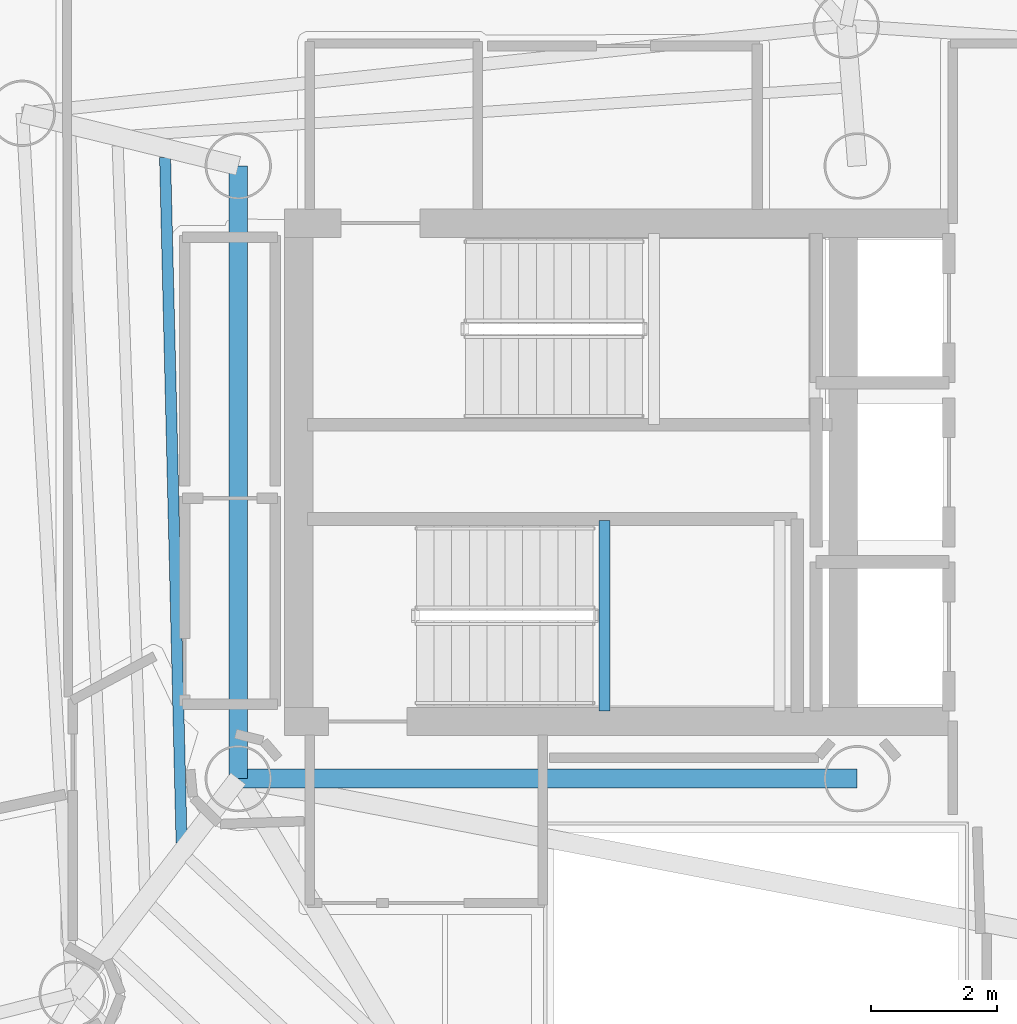
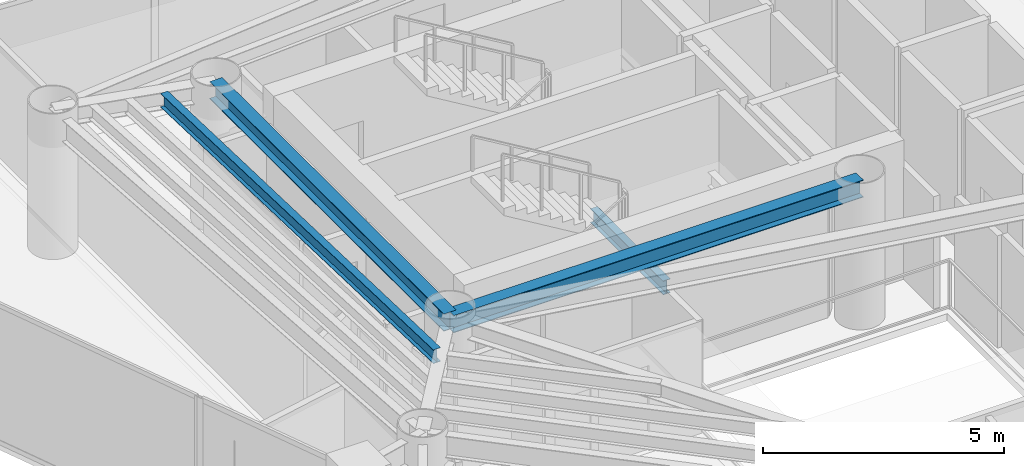
# One storey, part 8 of 20: 4 beams.
"""IFC4 building model written with IfcOpenShell, lengths in metres."""

from ifc_helpers import new_model, si_unit, direction, frame, origin, origin_2d, place, context, subcontext, project, spatial, i_section, extrude, material, material_profile, profile_set, type_object, element, save


model = new_model("IFC4")

# Units and contexts
model_context = context("Model", 3, precision=1e-05, world=origin(), true_north=direction((0.0, 1.0)))
body_context = subcontext(model_context, "Body", "Model", "MODEL_VIEW")
ifc_project = project(units=[si_unit("LENGTHUNIT", "METRE"), si_unit("AREAUNIT", "SQUARE_METRE"), si_unit("VOLUMEUNIT", "CUBIC_METRE"), si_unit("PLANEANGLEUNIT", "RADIAN"), si_unit("MASSUNIT", "GRAM", prefix="KILO")], contexts=[model_context])

# Site, building, storey
site_placement = place(None, origin())
site = spatial("IfcSite", under=ifc_project, at=site_placement, CompositionType="ELEMENT")
building_placement = place(site_placement, origin())
building = spatial("IfcBuilding", under=site, at=building_placement, Name="Qianvela Tower", CompositionType="ELEMENT")
storey_placement = place(building_placement, frame((0.0, 0.0, 239.0)))
storey = spatial("IfcBuildingStorey", under=building, at=storey_placement, Name="L61", CompositionType="ELEMENT", Elevation=239.0)

# Beams
ifc_material_1 = material(Name="Steel Q355B", Category="steel")
ifc_material_profile_1 = material_profile(ifc_material_1, i_section(OverallWidth=0.300048828125, OverallDepth=0.43994140625, WebThickness=0.010986328125, FlangeThickness=0.01806640625, at=origin_2d()), Name="HM440x300x11x18")
ifc_profile_set_1 = profile_set([ifc_material_profile_1], Name="Steel Q355B")
beam_type_1 = type_object("IfcBeamType", Name="BM-HM440-COLL", PredefinedType="BEAM", material=ifc_profile_set_1)
beam_1_placement = place(storey_placement, frame((28.60009765625, 23.85009765625, 3.298095703125), z_axis=(1.0, 0.0, 0.0), x_axis=(0.0, 1.0, 0.0)))
element("IfcBeam", 1, at=beam_1_placement, inside=storey, type_object=beam_type_1, Name="L61 Core Ring Collector Girder CC1", PredefinedType="BEAM", context=body_context, shape_type="SweptSolid", body=[
    extrude(i_section(OverallWidth=0.300048828125, OverallDepth=0.43994140625, WebThickness=0.010986328125, FlangeThickness=0.01806640625, at=origin_2d()), origin(), (0.0, 0.0, 1.0), 9.7998046875),
])
beam_2_placement = place(storey_placement, frame((28.60009765625, 33.550048828125, 3.298095703125), z_axis=(0.0, -1.0, 0.0), x_axis=(1.0, 0.0, 0.0)))
element("IfcBeam", 2, at=beam_2_placement, inside=storey, type_object=beam_type_1, Name="L61 Core Ring Collector Girder CC2", PredefinedType="BEAM", context=body_context, shape_type="SweptSolid", body=[
    extrude(i_section(OverallWidth=0.300048828125, OverallDepth=0.43994140625, WebThickness=0.010986328125, FlangeThickness=0.01806640625, at=origin_2d()), origin(), (0.0, 0.0, 1.0), 9.699951171875),
])
ifc_material_2 = material(Name="Steel Q355B", Category="steel")
ifc_material_profile_2 = material_profile(ifc_material_2, i_section(OverallWidth=0.175048828125, OverallDepth=0.35009765625, WebThickness=0.007080078125, FlangeThickness=0.010986328125, at=origin_2d()), Name="HN350x175x7x11")
ifc_profile_set_2 = profile_set([ifc_material_profile_2], Name="Steel Q355B")
beam_type_2 = type_object("IfcBeamType", Name="BM-HN350-JOIST", PredefinedType="JOIST", material=ifc_profile_set_2)
beam_3_placement = place(storey_placement, frame((27.44140625, 33.6875, 3.343017578125), z_axis=(0.024087497273, -0.999709854145, 0.0), x_axis=(0.999709854145, 0.024087497273, 0.0)))
element("IfcBeam", 3, at=beam_3_placement, inside=storey, type_object=beam_type_2, Name="L61 Secondary Composite Floor Joist 3.1", PredefinedType="JOIST", context=body_context, shape_type="SweptSolid", body=[
    extrude(i_section(OverallWidth=0.175048828125, OverallDepth=0.35009765625, WebThickness=0.007080078125, FlangeThickness=0.010986328125, at=origin_2d()), origin(), (0.0, 0.0, 1.0), 10.855224609375),
])
beam_4_placement = place(storey_placement, frame((34.39990234375, 24.919921875, 1.47509765625), z_axis=(0.0, 1.0, 0.0), x_axis=(-1.0, 0.0, 0.0)))
element("IfcBeam", 4, at=beam_4_placement, inside=storey, type_object=beam_type_2, Name="L61 Stair ST-2 Landing Support Beam 1.1", PredefinedType="JOIST", context=body_context, shape_type="SweptSolid", body=[
    extrude(i_section(OverallWidth=0.175048828125, OverallDepth=0.35009765625, WebThickness=0.007080078125, FlangeThickness=0.010986328125, at=origin_2d()), origin(), (0.0, 0.0, 1.0), 3.02001953125),
])

save(model, "model.ifc")
